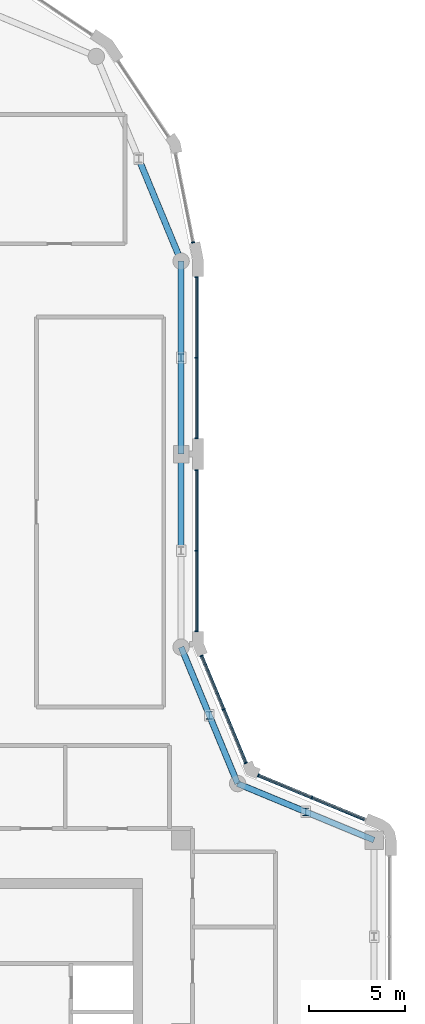
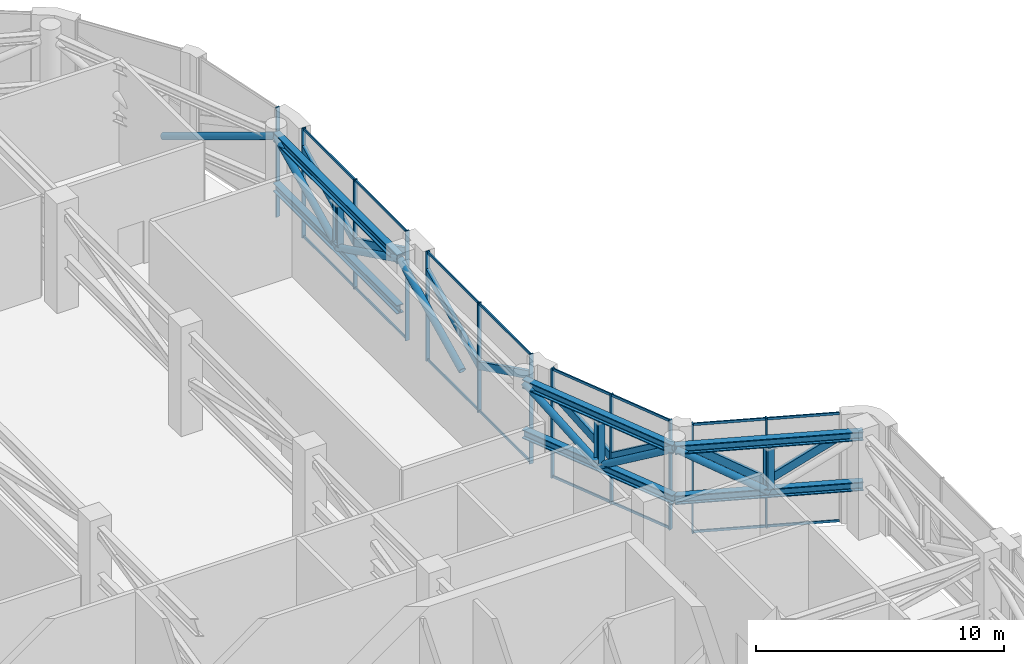
# One storey, part 9 of 18: 52 members, 5 elements without a shape of their own.
"""IFC4 building model written with IfcOpenShell, lengths in metres."""

from ifc_helpers import new_model, si_unit, direction, frame, origin, origin_2d, place, context, subcontext, project, spatial, polyline, rectangle, hollow_circle, i_section, outline, extrude, material, layer, layer_set, material_profile, profile_set, type_object, element, aggregate, save


model = new_model("IFC4")

# Units and contexts
model_context = context("Model", 3, precision=1e-05, world=origin(), true_north=direction((0.0, 1.0)))
body_context = subcontext(model_context, "Body", "Model", "MODEL_VIEW")
ifc_project = project(units=[si_unit("LENGTHUNIT", "METRE"), si_unit("AREAUNIT", "SQUARE_METRE"), si_unit("VOLUMEUNIT", "CUBIC_METRE"), si_unit("PLANEANGLEUNIT", "RADIAN"), si_unit("MASSUNIT", "GRAM", prefix="KILO")], contexts=[model_context])

# Site, building, storey
site_placement = place(None, origin())
site = spatial("IfcSite", under=ifc_project, at=site_placement, CompositionType="ELEMENT")
building_placement = place(site_placement, origin())
building = spatial("IfcBuilding", under=site, at=building_placement, Name="Qaws Garden Tower", CompositionType="ELEMENT")
storey_placement = place(building_placement, frame((0.0, 0.0, 352.800048828125)))
storey = spatial("IfcBuildingStorey", under=building, at=storey_placement, Name="L86", CompositionType="ELEMENT", Elevation=352.800048828125)

# Members
ifc_material_1 = material(Name="Steel S355", Category="steel")
ifc_material_profile_1 = material_profile(ifc_material_1, i_section(OverallWidth=0.306884765625, OverallDepth=0.431884765625, WebThickness=0.02099609375, FlangeThickness=0.0400390625, FilletRadius=0.027099609375, at=origin_2d()), Name="HEM 400")
ifc_profile_set_1 = profile_set([ifc_material_profile_1], Name="Steel S355")
member_type_1 = type_object("IfcMemberType", Name="Belt chord HEM 400", PredefinedType="CHORD", material=ifc_profile_set_1)
for number, where, z_axis, x_axis, name in (
    (1, (40.0, 30.0, 4.783935546875), (-0.923878037141, 0.382687042488, 0.0), (-0.382687042488, -0.923878037141, 0.0), "Belt truss top chord 6"),
    (2, (40.0, 30.0, 2.31591796875), (-0.923878037141, 0.382687042488, 0.0), (-0.382687042488, -0.923878037141, 0.0), "Belt truss bottom chord 6"),
    (3, (32.928955078125, 32.928955078125, 4.783935546875), (-0.382687042488, 0.923878037141, 0.0), (-0.923878037141, -0.382687042488, 0.0), "Belt truss top chord 7"),
    (4, (32.928955078125, 32.928955078125, 2.31591796875), (-0.382687042488, 0.923878037141, 0.0), (-0.923878037141, -0.382687042488, 0.0), "Belt truss bottom chord 7"),
):
    element("IfcMember", number, at=place(storey_placement, frame(where, z_axis=z_axis, x_axis=x_axis)), inside=storey, type_object=member_type_1, Name=name, PredefinedType="CHORD", context=body_context, shape_type="SweptSolid", body=[
        extrude(i_section(OverallWidth=0.306884765625, OverallDepth=0.431884765625, WebThickness=0.02099609375, FlangeThickness=0.0400390625, FilletRadius=0.027099609375, at=origin_2d()), origin(), (0.0, 0.0, 1.0), 7.653564453125),
    ])
for number, where, z_axis, x_axis, name in (
    (5, (30.0, 50.0, 4.783935546875), (0.0, 1.0, 0.0), (-1.0, 0.0, 0.0), "Belt truss top chord 9"),
    (6, (30.0, 50.0, 2.31591796875), (0.0, 1.0, 0.0), (-1.0, 0.0, 0.0), "Belt truss bottom chord 9"),
):
    element("IfcMember", number, at=place(storey_placement, frame(where, z_axis=z_axis, x_axis=x_axis)), inside=storey, type_object=member_type_1, Name=name, PredefinedType="CHORD", context=body_context, shape_type="SweptSolid", body=[
        extrude(i_section(OverallWidth=0.306884765625, OverallDepth=0.431884765625, WebThickness=0.02099609375, FlangeThickness=0.0400390625, FilletRadius=0.027099609375, at=origin_2d()), origin(), (0.0, 0.0, 1.0), 10.0),
    ])
ifc_material_2 = material(Name="Steel S355", Category="steel")
ifc_material_profile_2 = material_profile(ifc_material_2, hollow_circle(Radius=0.161865234375, WallThickness=0.01611328125, at=origin_2d()), Name="CHS 323.9x16")
ifc_profile_set_2 = profile_set([ifc_material_profile_2], Name="Steel S355")
member_type_2 = type_object("IfcMemberType", Name="Belt diagonal CHS 323.9x16", PredefinedType="BRACE", material=ifc_profile_set_2)
for number, where, z_axis, x_axis, name in (
    (7, (36.46435546875, 31.46435546875, 2.31591796875), (-0.776397798671, 0.321635963968, 0.541993325514), (-0.38272554779, -0.923862086606, 0.0), "Belt truss diagonal 6b"),
    (8, (32.928955078125, 32.928955078125, 4.783935546875), (-0.321635963968, 0.776397798671, -0.541993325514), (-0.923862086606, -0.38272554779, 0.0), "Belt truss diagonal 7a"),
    (9, (31.46435546875, 36.46435546875, 2.31591796875), (-0.321574507572, 0.776432480604, 0.541980109545), (-0.92389398552, -0.382648537851, 0.0), "Belt truss diagonal 7b"),
):
    element("IfcMember", number, at=place(storey_placement, frame(where, z_axis=z_axis, x_axis=x_axis)), inside=storey, type_object=member_type_2, Name=name, PredefinedType="BRACE", context=body_context, shape_type="SweptSolid", body=[
        extrude(hollow_circle(Radius=0.161865234375, WallThickness=0.01611328125, at=origin_2d()), origin(), (0.0, 0.0, 1.0), 4.5537109375),
    ])
for number, where, z_axis, x_axis, name in (
    (10, (30.0, 45.0, 2.31591796875), (0.0, 0.896709736444, 0.442619078404), (-1.0, 0.0, 0.0), "Belt truss diagonal 8b"),
    (11, (30.0, 50.0, 4.783935546875), (0.0, 0.896709736444, -0.442619078404), (-1.0, 0.0, 0.0), "Belt truss diagonal 9a"),
    (12, (30.0, 55.0, 2.31591796875), (0.0, 0.896709736444, 0.442619078404), (-1.0, 0.0, 0.0), "Belt truss diagonal 9b"),
):
    element("IfcMember", number, at=place(storey_placement, frame(where, z_axis=z_axis, x_axis=x_axis)), inside=storey, type_object=member_type_2, Name=name, PredefinedType="BRACE", context=body_context, shape_type="SweptSolid", body=[
        extrude(hollow_circle(Radius=0.161865234375, WallThickness=0.01611328125, at=origin_2d()), origin(), (0.0, 0.0, 1.0), 5.575927734375),
    ])
member_1_placement = place(storey_placement, frame((30.0, 60.0, 4.783935546875), z_axis=(-0.351580639119, 0.848748015441, -0.394990962531), x_axis=(-0.923872720536, -0.382699877515, 0.0)))
element("IfcMember", 13, at=member_1_placement, inside=storey, type_object=member_type_2, Name="Belt truss diagonal 10a", PredefinedType="BRACE", context=body_context, shape_type="SweptSolid", body=[
    extrude(hollow_circle(Radius=0.161865234375, WallThickness=0.01611328125, at=origin_2d()), origin(), (0.0, 0.0, 1.0), 6.248291015625),
])
ifc_material_3 = material(Name="Steel S355", Category="steel")
ifc_material_profile_3 = material_profile(ifc_material_3, i_section(OverallWidth=0.300048828125, OverallDepth=0.39990234375, WebThickness=0.013427734375, FlangeThickness=0.02392578125, FilletRadius=0.027099609375, at=origin_2d()), Name="HEB 400")
ifc_profile_set_3 = profile_set([ifc_material_profile_3], Name="Steel S355")
member_type_3 = type_object("IfcMemberType", Name="Belt post HEB 400", PredefinedType="POST", material=ifc_profile_set_3)
for number, where, z_axis, x_axis, name in (
    (14, (36.46435546875, 31.46435546875, 2.531982421875), (0.0, 0.0, 1.0), (1.0, 0.0, 0.0), "Belt truss post 6"),
    (15, (31.46435546875, 36.46435546875, 2.531982421875), (0.0, 0.0, 1.0), (1.0, 0.0, 0.0), "Belt truss post 7"),
    (16, (30.0, 55.0, 2.531982421875), (0.0, 0.0, 1.0), (1.0, 0.0, 0.0), "Belt truss post 9"),
):
    element("IfcMember", number, at=place(storey_placement, frame(where, z_axis=z_axis, x_axis=x_axis)), inside=storey, type_object=member_type_3, Name=name, PredefinedType="POST", context=body_context, shape_type="SweptSolid", body=[
        extrude(i_section(OverallWidth=0.300048828125, OverallDepth=0.39990234375, WebThickness=0.013427734375, FlangeThickness=0.02392578125, FilletRadius=0.027099609375, at=origin_2d()), origin(), (0.0, 0.0, 1.0), 2.035888671875),
    ])

# Curtain wall, members
ifc_material_4 = material(Name="Anodised aluminium curtain wall frame", Category="aluminium")
ifc_layer = layer(ifc_material_4, 0.159912109375)
ifc_layer_set = layer_set([ifc_layer], Name="Anodised aluminium curtain wall frame")
curtain_wall_type = type_object("IfcCurtainWallType", Name="CW6 plant floor louvre glazing curtain wall", PredefinedType="NOTDEFINED", material=ifc_layer_set)
placement_1 = place(storey_placement, origin())
curtain_wall_1 = element("IfcCurtainWall", 17, at=placement_1, inside=storey, type_object=curtain_wall_type, Name="CW6 Plant floor louvre glazing 05", PredefinedType="NOTDEFINED")
ifc_material_5 = material(Name="Anodised aluminium curtain wall frame", Category="aluminium")
ifc_material_profile_4 = material_profile(ifc_material_5, rectangle(XDim=0.179931640625, YDim=0.360107421875, at=origin_2d()), Name="AL 180x360")
ifc_profile_set_4 = profile_set([ifc_material_profile_4], Name="Anodised aluminium curtain wall frame")
member_type_4 = type_object("IfcMemberType", Name="CW6 inclined transom 360 x 180", PredefinedType="USERDEFINED", material=ifc_profile_set_4)
placement_2 = place(storey_placement, frame((39.567138671875, 31.045166015625, 0.119873046875), z_axis=(0.0, 0.0, 1.0), x_axis=(-0.92388264791, 0.38267591104, 0.0)))
member_2 = element("IfcMember", 18, at=placement_2, type_object=member_type_4, Name="CW6 inclined transom 1.1", ObjectType="TRANSOM", PredefinedType="USERDEFINED", context=body_context, shape_type="SweptSolid", body=[
    extrude(outline(polyline([(0.06005859375, 3.895263671875), (2.996826171875, 2.001220703125), (2.996826171875, 2.4296875), (0.06005859375, 4.32373046875), (0.06005859375, 3.895263671875)])), frame((0.0, 0.08984375, 0.0), z_axis=(0.0, -1.0, 0.0), x_axis=(1.0, 0.0, 0.0)), (0.0, 0.0, 1.0), 0.179931640625),
])
member_3 = element("IfcMember", 19, at=placement_2, type_object=member_type_4, Name="CW6 inclined transom 2.1", ObjectType="TRANSOM", PredefinedType="USERDEFINED", context=body_context, shape_type="SweptSolid", body=[
    extrude(outline(polyline([(3.056884765625, 2.001220703125), (5.99365234375, 3.895263671875), (5.99365234375, 4.323486328125), (3.056884765625, 2.4296875), (3.056884765625, 2.001220703125)])), frame((0.0, 0.08984375, 0.0), z_axis=(0.0, -1.0, 0.0), x_axis=(1.0, 0.0, 0.0)), (0.0, 0.0, 1.0), 0.179931640625),
])

curtain_wall_2 = element("IfcCurtainWall", 20, at=placement_1, inside=storey, type_object=curtain_wall_type, Name="CW6 Plant floor louvre glazing 06", PredefinedType="NOTDEFINED")
placement_3 = place(storey_placement, frame((33.36181640625, 33.97412109375, 0.119873046875), z_axis=(0.0, 0.0, 1.0), x_axis=(-0.38267591104, 0.92388264791, 0.0)))
member_4 = element("IfcMember", 21, at=placement_3, type_object=member_type_4, Name="CW6 inclined transom 1.1", ObjectType="TRANSOM", PredefinedType="USERDEFINED", context=body_context, shape_type="SweptSolid", body=[
    extrude(outline(polyline([(0.06005859375, 3.895263671875), (2.996826171875, 2.001220703125), (2.996826171875, 2.4296875), (0.06005859375, 4.32373046875), (0.06005859375, 3.895263671875)])), frame((0.0, 0.08984375, 0.0), z_axis=(0.0, -1.0, 0.0), x_axis=(1.0, 0.0, 0.0)), (0.0, 0.0, 1.0), 0.179931640625),
])
member_5 = element("IfcMember", 22, at=placement_3, type_object=member_type_4, Name="CW6 inclined transom 2.1", ObjectType="TRANSOM", PredefinedType="USERDEFINED", context=body_context, shape_type="SweptSolid", body=[
    extrude(outline(polyline([(3.056884765625, 2.001220703125), (5.99365234375, 3.895263671875), (5.99365234375, 4.323486328125), (3.056884765625, 2.4296875), (3.056884765625, 2.001220703125)])), frame((0.0, 0.08984375, 0.0), z_axis=(0.0, -1.0, 0.0), x_axis=(1.0, 0.0, 0.0)), (0.0, 0.0, 1.0), 0.179931640625),
])

curtain_wall_3 = element("IfcCurtainWall", 23, at=placement_1, inside=storey, type_object=curtain_wall_type, Name="CW6 Plant floor louvre glazing 07", PredefinedType="NOTDEFINED")
placement_4 = place(storey_placement, frame((30.800048828125, 40.800048828125, 0.119873046875), z_axis=(0.0, 0.0, 1.0), x_axis=(0.0, 1.0, 0.0)))
member_6 = element("IfcMember", 24, at=placement_4, type_object=member_type_4, Name="CW6 inclined transom 1.1", ObjectType="TRANSOM", PredefinedType="USERDEFINED", context=body_context, shape_type="SweptSolid", body=[
    extrude(outline(polyline([(0.06005859375, 4.038818359375), (4.169921875, 2.01025390625), (4.169921875, 2.41162109375), (0.06005859375, 4.440185546875), (0.06005859375, 4.038818359375)])), frame((0.0, 0.08984375, 0.0), z_axis=(0.0, -1.0, 0.0), x_axis=(1.0, 0.0, 0.0)), (0.0, 0.0, 1.0), 0.179931640625),
])
member_7 = element("IfcMember", 25, at=placement_4, type_object=member_type_4, Name="CW6 inclined transom 2.1", ObjectType="TRANSOM", PredefinedType="USERDEFINED", context=body_context, shape_type="SweptSolid", body=[
    extrude(outline(polyline([(4.22998046875, 2.01025390625), (8.340087890625, 4.038818359375), (8.340087890625, 4.440185546875), (4.22998046875, 2.41162109375), (4.22998046875, 2.01025390625)])), frame((0.0, 0.08984375, 0.0), z_axis=(0.0, -1.0, 0.0), x_axis=(1.0, 0.0, 0.0)), (0.0, 0.0, 1.0), 0.179931640625),
])

curtain_wall_4 = element("IfcCurtainWall", 26, at=placement_1, inside=storey, type_object=curtain_wall_type, Name="CW6 Plant floor louvre glazing 08", PredefinedType="NOTDEFINED")
placement_5 = place(storey_placement, frame((30.800048828125, 50.800048828125, 0.119873046875), z_axis=(0.0, 0.0, 1.0), x_axis=(0.0, 1.0, 0.0)))
member_8 = element("IfcMember", 27, at=placement_5, type_object=member_type_4, Name="CW6 inclined transom 1.1", ObjectType="TRANSOM", PredefinedType="USERDEFINED", context=body_context, shape_type="SweptSolid", body=[
    extrude(outline(polyline([(0.06005859375, 4.038818359375), (4.169921875, 2.01025390625), (4.169921875, 2.41162109375), (0.06005859375, 4.440185546875), (0.06005859375, 4.038818359375)])), frame((0.0, 0.08984375, 0.0), z_axis=(0.0, -1.0, 0.0), x_axis=(1.0, 0.0, 0.0)), (0.0, 0.0, 1.0), 0.179931640625),
])
member_9 = element("IfcMember", 28, at=placement_5, type_object=member_type_4, Name="CW6 inclined transom 2.1", ObjectType="TRANSOM", PredefinedType="USERDEFINED", context=body_context, shape_type="SweptSolid", body=[
    extrude(outline(polyline([(4.22998046875, 2.01025390625), (8.340087890625, 4.038818359375), (8.340087890625, 4.440185546875), (4.22998046875, 2.41162109375), (4.22998046875, 2.01025390625)])), frame((0.0, 0.08984375, 0.0), z_axis=(0.0, -1.0, 0.0), x_axis=(1.0, 0.0, 0.0)), (0.0, 0.0, 1.0), 0.179931640625),
])

# Member
ifc_material_6 = material(Name="Anodised aluminium curtain wall frame", Category="aluminium")
ifc_material_profile_5 = material_profile(ifc_material_6, rectangle(XDim=0.179931640625, YDim=0.06005859375, at=origin_2d()), Name="AL 60x180")
ifc_profile_set_5 = profile_set([ifc_material_profile_5], Name="Anodised aluminium curtain wall frame")
member_type_5 = type_object("IfcMemberType", Name="CW6 mullion 60 x 180", PredefinedType="MULLION", material=ifc_profile_set_5)
member_10_placement = place(storey_placement, frame((36.7705078125, 32.20361328125, 0.0), z_axis=(0.0, 0.0, 1.0), x_axis=(-0.382683432301, -0.923879532538, 0.0)))
member_10 = element("IfcMember", 29, at=member_10_placement, type_object=member_type_5, Name="CW6 mullion 2", PredefinedType="MULLION", context=body_context, shape_type="SweptSolid", body=[
    extrude(rectangle(XDim=0.179931640625, YDim=0.06005859375, at=origin_2d()), origin(), (0.0, 0.0, 1.0), 5.39990234375),
])

member_11_placement = place(storey_placement, frame((34.001953125, 33.350341796875, 0.0), z_axis=(0.0, 0.0, 1.0), x_axis=(-0.382683432301, -0.923879532538, 0.0)))
member_11 = element("IfcMember", 30, at=member_11_placement, type_object=member_type_5, Name="CW6 mullion 3", PredefinedType="MULLION", context=body_context, shape_type="SweptSolid", body=[
    extrude(rectangle(XDim=0.179931640625, YDim=0.06005859375, at=origin_2d()), origin(), (0.0, 0.0, 1.0), 5.39990234375),
])

member_12_placement = place(storey_placement, frame((33.350341796875, 34.001953125, 0.0), z_axis=(0.0, 0.0, 1.0), x_axis=(-0.923879532538, -0.382683432301, 0.0)))
member_12 = element("IfcMember", 31, at=member_12_placement, type_object=member_type_5, Name="CW6 mullion 1", PredefinedType="MULLION", context=body_context, shape_type="SweptSolid", body=[
    extrude(rectangle(XDim=0.179931640625, YDim=0.06005859375, at=origin_2d()), origin(), (0.0, 0.0, 1.0), 5.39990234375),
])

member_13_placement = place(storey_placement, frame((32.20361328125, 36.7705078125, 0.0), z_axis=(0.0, 0.0, 1.0), x_axis=(-0.923879532538, -0.382683432301, 0.0)))
member_13 = element("IfcMember", 32, at=member_13_placement, type_object=member_type_5, Name="CW6 mullion 2", PredefinedType="MULLION", context=body_context, shape_type="SweptSolid", body=[
    extrude(rectangle(XDim=0.179931640625, YDim=0.06005859375, at=origin_2d()), origin(), (0.0, 0.0, 1.0), 5.39990234375),
])

member_14_placement = place(storey_placement, frame((31.056640625, 39.539306640625, 0.0), z_axis=(0.0, 0.0, 1.0), x_axis=(-0.923879532538, -0.382683432301, 0.0)))
member_14 = element("IfcMember", 33, at=member_14_placement, type_object=member_type_5, Name="CW6 mullion 3", PredefinedType="MULLION", context=body_context, shape_type="SweptSolid", body=[
    extrude(rectangle(XDim=0.179931640625, YDim=0.06005859375, at=origin_2d()), origin(), (0.0, 0.0, 1.0), 5.39990234375),
])

member_15_placement = place(storey_placement, frame((30.800048828125, 40.830078125, 0.0), z_axis=(0.0, 0.0, 1.0), x_axis=(-1.0, 0.0, 0.0)))
member_15 = element("IfcMember", 34, at=member_15_placement, type_object=member_type_5, Name="CW6 mullion 1", PredefinedType="MULLION", context=body_context, shape_type="SweptSolid", body=[
    extrude(rectangle(XDim=0.179931640625, YDim=0.06005859375, at=origin_2d()), origin(), (0.0, 0.0, 1.0), 5.39990234375),
])

member_16_placement = place(storey_placement, frame((30.800048828125, 45.0, 0.0), z_axis=(0.0, 0.0, 1.0), x_axis=(-1.0, 0.0, 0.0)))
member_16 = element("IfcMember", 35, at=member_16_placement, type_object=member_type_5, Name="CW6 mullion 2", PredefinedType="MULLION", context=body_context, shape_type="SweptSolid", body=[
    extrude(rectangle(XDim=0.179931640625, YDim=0.06005859375, at=origin_2d()), origin(), (0.0, 0.0, 1.0), 5.39990234375),
])

member_17_placement = place(storey_placement, frame((30.800048828125, 49.169921875, 0.0), z_axis=(0.0, 0.0, 1.0), x_axis=(-1.0, 0.0, 0.0)))
member_17 = element("IfcMember", 36, at=member_17_placement, type_object=member_type_5, Name="CW6 mullion 3", PredefinedType="MULLION", context=body_context, shape_type="SweptSolid", body=[
    extrude(rectangle(XDim=0.179931640625, YDim=0.06005859375, at=origin_2d()), origin(), (0.0, 0.0, 1.0), 5.39990234375),
])

member_18_placement = place(storey_placement, frame((30.800048828125, 50.830078125, 0.0), z_axis=(0.0, 0.0, 1.0), x_axis=(-1.0, 0.0, 0.0)))
member_18 = element("IfcMember", 37, at=member_18_placement, type_object=member_type_5, Name="CW6 mullion 1", PredefinedType="MULLION", context=body_context, shape_type="SweptSolid", body=[
    extrude(rectangle(XDim=0.179931640625, YDim=0.06005859375, at=origin_2d()), origin(), (0.0, 0.0, 1.0), 5.39990234375),
])

member_19_placement = place(storey_placement, frame((30.800048828125, 55.0, 0.0), z_axis=(0.0, 0.0, 1.0), x_axis=(-1.0, 0.0, 0.0)))
member_19 = element("IfcMember", 38, at=member_19_placement, type_object=member_type_5, Name="CW6 mullion 2", PredefinedType="MULLION", context=body_context, shape_type="SweptSolid", body=[
    extrude(rectangle(XDim=0.179931640625, YDim=0.06005859375, at=origin_2d()), origin(), (0.0, 0.0, 1.0), 5.39990234375),
])

member_20_placement = place(storey_placement, frame((30.800048828125, 59.169921875, 0.0), z_axis=(0.0, 0.0, 1.0), x_axis=(-1.0, 0.0, 0.0)))
member_20 = element("IfcMember", 39, at=member_20_placement, type_object=member_type_5, Name="CW6 mullion 3", PredefinedType="MULLION", context=body_context, shape_type="SweptSolid", body=[
    extrude(rectangle(XDim=0.179931640625, YDim=0.06005859375, at=origin_2d()), origin(), (0.0, 0.0, 1.0), 5.39990234375),
])

# Curtain wall, member
curtain_wall_5 = element("IfcCurtainWall", 40, at=placement_1, inside=storey, type_object=curtain_wall_type, Name="CW6 Plant floor louvre glazing 09", PredefinedType="NOTDEFINED")
member_21_placement = place(storey_placement, frame((30.622802734375, 60.97021484375, 0.0), z_axis=(0.0, 0.0, 1.0), x_axis=(-0.980785280407, -0.195090321999, 0.0)))
member_21 = element("IfcMember", 41, at=member_21_placement, type_object=member_type_5, Name="CW6 mullion 1", PredefinedType="MULLION", context=body_context, shape_type="SweptSolid", body=[
    extrude(rectangle(XDim=0.179931640625, YDim=0.06005859375, at=origin_2d()), origin(), (0.0, 0.0, 1.0), 5.39990234375),
])
aggregate(curtain_wall_5, [member_21])

# Member
ifc_material_7 = material(Name="Anodised aluminium curtain wall frame", Category="aluminium")
ifc_material_profile_6 = material_profile(ifc_material_7, rectangle(XDim=0.06005859375, YDim=0.1201171875, at=origin_2d()), Name="AL 60x120")
ifc_profile_set_6 = profile_set([ifc_material_profile_6], Name="Anodised aluminium curtain wall frame")
member_type_6 = type_object("IfcMemberType", Name="CW6 transom 120 x 60", PredefinedType="USERDEFINED", material=ifc_profile_set_6)
member_22_placement = place(storey_placement, frame((39.51171875, 31.068115234375, 0.06005859375), z_axis=(-0.923866880721, 0.382713975062, 0.0), x_axis=(-0.382713975062, -0.923866880721, 0.0)))
member_22 = element("IfcMember", 42, at=member_22_placement, type_object=member_type_6, Name="CW6 transom 1.1", ObjectType="TRANSOM", PredefinedType="USERDEFINED", context=body_context, shape_type="SweptSolid", body=[
    extrude(rectangle(XDim=0.06005859375, YDim=0.1201171875, at=origin_2d()), origin(), (0.0, 0.0, 1.0), 2.93701171875),
])

member_23_placement = place(storey_placement, frame((39.51171875, 31.068115234375, 5.33984375), z_axis=(-0.923866880721, 0.382713975062, 0.0), x_axis=(-0.382713975062, -0.923866880721, 0.0)))
member_23 = element("IfcMember", 43, at=member_23_placement, type_object=member_type_6, Name="CW6 transom 1.2", ObjectType="TRANSOM", PredefinedType="USERDEFINED", context=body_context, shape_type="SweptSolid", body=[
    extrude(rectangle(XDim=0.06005859375, YDim=0.1201171875, at=origin_2d()), origin(), (0.0, 0.0, 1.0), 2.93701171875),
])

member_24_placement = place(storey_placement, frame((36.742919921875, 32.215087890625, 0.06005859375), z_axis=(-0.923896270497, 0.382643020793, 0.0), x_axis=(-0.382643020793, -0.923896270497, 0.0)))
member_24 = element("IfcMember", 44, at=member_24_placement, type_object=member_type_6, Name="CW6 transom 2.1", ObjectType="TRANSOM", PredefinedType="USERDEFINED", context=body_context, shape_type="SweptSolid", body=[
    extrude(rectangle(XDim=0.06005859375, YDim=0.1201171875, at=origin_2d()), origin(), (0.0, 0.0, 1.0), 2.936767578125),
])

member_25_placement = place(storey_placement, frame((36.742919921875, 32.215087890625, 5.33984375), z_axis=(-0.923896270497, 0.382643020793, 0.0), x_axis=(-0.382643020793, -0.923896270497, 0.0)))
member_25 = element("IfcMember", 45, at=member_25_placement, type_object=member_type_6, Name="CW6 transom 2.2", ObjectType="TRANSOM", PredefinedType="USERDEFINED", context=body_context, shape_type="SweptSolid", body=[
    extrude(rectangle(XDim=0.06005859375, YDim=0.1201171875, at=origin_2d()), origin(), (0.0, 0.0, 1.0), 2.936767578125),
])

aggregate(curtain_wall_1, [member_10, member_11, member_22, member_23, member_2, member_24, member_25, member_3])

member_26_placement = place(storey_placement, frame((33.3388671875, 34.029541015625, 0.06005859375), z_axis=(-0.382643020793, 0.923896270497, 0.0), x_axis=(-0.923896270497, -0.382643020793, 0.0)))
member_26 = element("IfcMember", 46, at=member_26_placement, type_object=member_type_6, Name="CW6 transom 1.1", ObjectType="TRANSOM", PredefinedType="USERDEFINED", context=body_context, shape_type="SweptSolid", body=[
    extrude(rectangle(XDim=0.06005859375, YDim=0.1201171875, at=origin_2d()), origin(), (0.0, 0.0, 1.0), 2.936767578125),
])

member_27_placement = place(storey_placement, frame((33.3388671875, 34.029541015625, 5.33984375), z_axis=(-0.382643020793, 0.923896270497, 0.0), x_axis=(-0.923896270497, -0.382643020793, 0.0)))
member_27 = element("IfcMember", 47, at=member_27_placement, type_object=member_type_6, Name="CW6 transom 1.2", ObjectType="TRANSOM", PredefinedType="USERDEFINED", context=body_context, shape_type="SweptSolid", body=[
    extrude(rectangle(XDim=0.06005859375, YDim=0.1201171875, at=origin_2d()), origin(), (0.0, 0.0, 1.0), 2.936767578125),
])

member_28_placement = place(storey_placement, frame((32.192138671875, 36.79833984375, 0.06005859375), z_axis=(-0.382713975062, 0.923866880721, 0.0), x_axis=(-0.923866880721, -0.382713975062, 0.0)))
member_28 = element("IfcMember", 48, at=member_28_placement, type_object=member_type_6, Name="CW6 transom 2.1", ObjectType="TRANSOM", PredefinedType="USERDEFINED", context=body_context, shape_type="SweptSolid", body=[
    extrude(rectangle(XDim=0.06005859375, YDim=0.1201171875, at=origin_2d()), origin(), (0.0, 0.0, 1.0), 2.93701171875),
])

member_29_placement = place(storey_placement, frame((32.192138671875, 36.79833984375, 5.33984375), z_axis=(-0.382713975062, 0.923866880721, 0.0), x_axis=(-0.923866880721, -0.382713975062, 0.0)))
member_29 = element("IfcMember", 49, at=member_29_placement, type_object=member_type_6, Name="CW6 transom 2.2", ObjectType="TRANSOM", PredefinedType="USERDEFINED", context=body_context, shape_type="SweptSolid", body=[
    extrude(rectangle(XDim=0.06005859375, YDim=0.1201171875, at=origin_2d()), origin(), (0.0, 0.0, 1.0), 2.93701171875),
])

aggregate(curtain_wall_2, [member_12, member_13, member_14, member_26, member_27, member_4, member_28, member_29, member_5])

member_30_placement = place(storey_placement, frame((30.800048828125, 40.860107421875, 0.06005859375), z_axis=(0.0, 1.0, 0.0), x_axis=(-1.0, 0.0, 0.0)))
member_30 = element("IfcMember", 50, at=member_30_placement, type_object=member_type_6, Name="CW6 transom 1.1", ObjectType="TRANSOM", PredefinedType="USERDEFINED", context=body_context, shape_type="SweptSolid", body=[
    extrude(rectangle(XDim=0.06005859375, YDim=0.1201171875, at=origin_2d()), origin(), (0.0, 0.0, 1.0), 4.10986328125),
])

member_31_placement = place(storey_placement, frame((30.800048828125, 40.860107421875, 5.33984375), z_axis=(0.0, 1.0, 0.0), x_axis=(-1.0, 0.0, 0.0)))
member_31 = element("IfcMember", 51, at=member_31_placement, type_object=member_type_6, Name="CW6 transom 1.2", ObjectType="TRANSOM", PredefinedType="USERDEFINED", context=body_context, shape_type="SweptSolid", body=[
    extrude(rectangle(XDim=0.06005859375, YDim=0.1201171875, at=origin_2d()), origin(), (0.0, 0.0, 1.0), 4.10986328125),
])

member_32_placement = place(storey_placement, frame((30.800048828125, 45.030029296875, 0.06005859375), z_axis=(0.0, 1.0, 0.0), x_axis=(-1.0, 0.0, 0.0)))
member_32 = element("IfcMember", 52, at=member_32_placement, type_object=member_type_6, Name="CW6 transom 2.1", ObjectType="TRANSOM", PredefinedType="USERDEFINED", context=body_context, shape_type="SweptSolid", body=[
    extrude(rectangle(XDim=0.06005859375, YDim=0.1201171875, at=origin_2d()), origin(), (0.0, 0.0, 1.0), 4.10986328125),
])

member_33_placement = place(storey_placement, frame((30.800048828125, 45.030029296875, 5.33984375), z_axis=(0.0, 1.0, 0.0), x_axis=(-1.0, 0.0, 0.0)))
member_33 = element("IfcMember", 53, at=member_33_placement, type_object=member_type_6, Name="CW6 transom 2.2", ObjectType="TRANSOM", PredefinedType="USERDEFINED", context=body_context, shape_type="SweptSolid", body=[
    extrude(rectangle(XDim=0.06005859375, YDim=0.1201171875, at=origin_2d()), origin(), (0.0, 0.0, 1.0), 4.10986328125),
])

aggregate(curtain_wall_3, [member_15, member_16, member_17, member_30, member_31, member_6, member_32, member_33, member_7])

member_34_placement = place(storey_placement, frame((30.800048828125, 50.860107421875, 0.06005859375), z_axis=(0.0, 1.0, 0.0), x_axis=(-1.0, 0.0, 0.0)))
member_34 = element("IfcMember", 54, at=member_34_placement, type_object=member_type_6, Name="CW6 transom 1.1", ObjectType="TRANSOM", PredefinedType="USERDEFINED", context=body_context, shape_type="SweptSolid", body=[
    extrude(rectangle(XDim=0.06005859375, YDim=0.1201171875, at=origin_2d()), origin(), (0.0, 0.0, 1.0), 4.10986328125),
])

member_35_placement = place(storey_placement, frame((30.800048828125, 50.860107421875, 5.33984375), z_axis=(0.0, 1.0, 0.0), x_axis=(-1.0, 0.0, 0.0)))
member_35 = element("IfcMember", 55, at=member_35_placement, type_object=member_type_6, Name="CW6 transom 1.2", ObjectType="TRANSOM", PredefinedType="USERDEFINED", context=body_context, shape_type="SweptSolid", body=[
    extrude(rectangle(XDim=0.06005859375, YDim=0.1201171875, at=origin_2d()), origin(), (0.0, 0.0, 1.0), 4.10986328125),
])

member_36_placement = place(storey_placement, frame((30.800048828125, 55.030029296875, 0.06005859375), z_axis=(0.0, 1.0, 0.0), x_axis=(-1.0, 0.0, 0.0)))
member_36 = element("IfcMember", 56, at=member_36_placement, type_object=member_type_6, Name="CW6 transom 2.1", ObjectType="TRANSOM", PredefinedType="USERDEFINED", context=body_context, shape_type="SweptSolid", body=[
    extrude(rectangle(XDim=0.06005859375, YDim=0.1201171875, at=origin_2d()), origin(), (0.0, 0.0, 1.0), 4.10986328125),
])

member_37_placement = place(storey_placement, frame((30.800048828125, 55.030029296875, 5.33984375), z_axis=(0.0, 1.0, 0.0), x_axis=(-1.0, 0.0, 0.0)))
member_37 = element("IfcMember", 57, at=member_37_placement, type_object=member_type_6, Name="CW6 transom 2.2", ObjectType="TRANSOM", PredefinedType="USERDEFINED", context=body_context, shape_type="SweptSolid", body=[
    extrude(rectangle(XDim=0.06005859375, YDim=0.1201171875, at=origin_2d()), origin(), (0.0, 0.0, 1.0), 4.10986328125),
])

aggregate(curtain_wall_4, [member_18, member_19, member_20, member_34, member_35, member_8, member_36, member_37, member_9])

save(model, "model.ifc")
